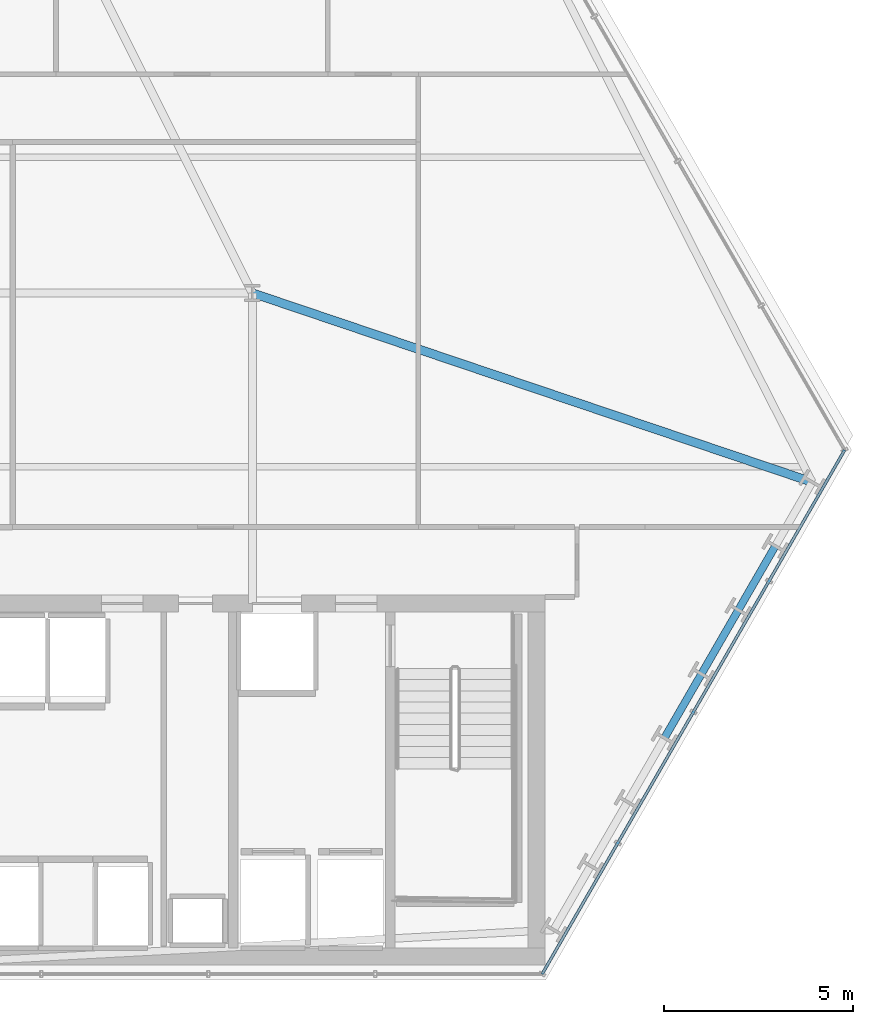
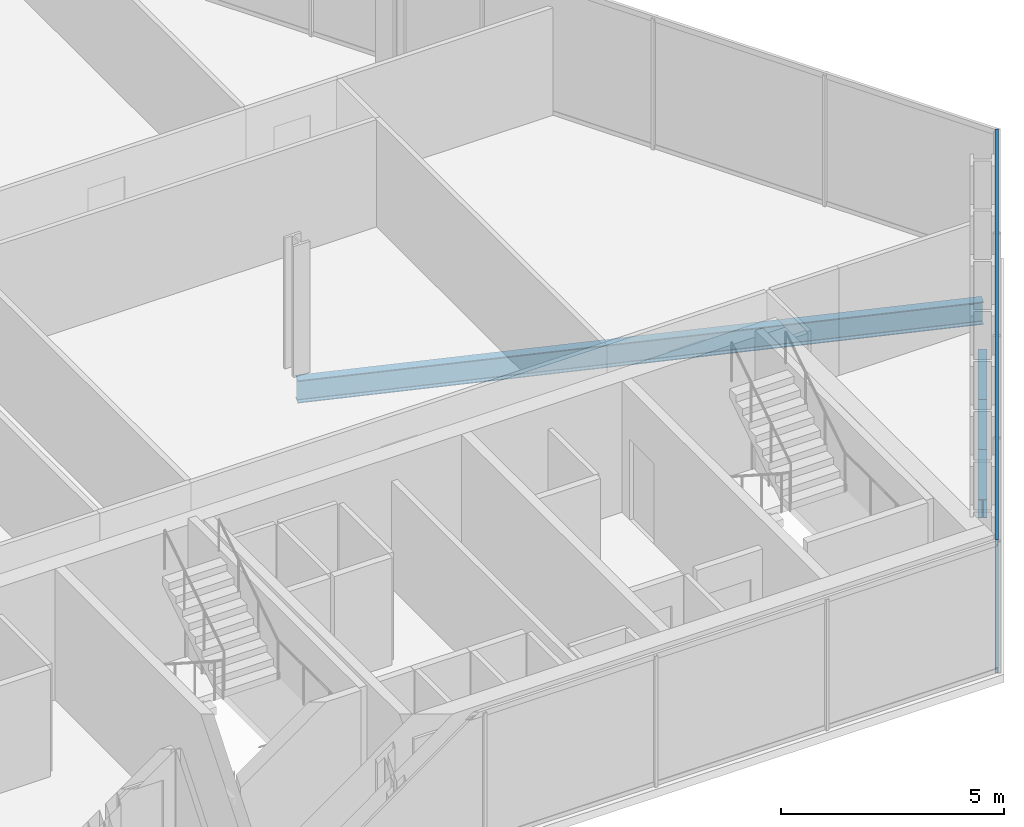
# One storey, part 15 of 32: 4 beams, 2 members, 1 element without a shape of its own.
"""IFC4 building model written with IfcOpenShell, lengths in metres."""

from ifc_helpers import new_model, si_unit, direction, frame, origin, origin_2d, place, context, subcontext, project, spatial, hollow_rectangle, i_section, extrude, material, layer, layer_set, material_profile, profile_set, type_object, element, aggregate, save


model = new_model("IFC4")

# Units and contexts
model_context = context("Model", 3, precision=1e-05, world=origin(), true_north=direction((0.0, 1.0)))
body_context = subcontext(model_context, "Body", "Model", "MODEL_VIEW")
ifc_project = project(units=[si_unit("LENGTHUNIT", "METRE"), si_unit("AREAUNIT", "SQUARE_METRE"), si_unit("VOLUMEUNIT", "CUBIC_METRE"), si_unit("PLANEANGLEUNIT", "RADIAN"), si_unit("MASSUNIT", "GRAM", prefix="KILO")], contexts=[model_context])

# Site, building, storey
site_placement = place(None, origin())
site = spatial("IfcSite", under=ifc_project, at=site_placement, CompositionType="ELEMENT")
building_placement = place(site_placement, origin())
building = spatial("IfcBuilding", under=site, at=building_placement, Name="Ndaravel Arena Tower", CompositionType="ELEMENT")
storey_placement = place(building_placement, frame((0.0, 0.0, 47.39990234375)))
storey = spatial("IfcBuildingStorey", under=building, at=storey_placement, Name="L09", CompositionType="ELEMENT", Elevation=47.39990234375)

# Beams
ifc_material_1 = material(Name="Steel S355", Category="steel")
ifc_material_profile_1 = material_profile(ifc_material_1, i_section(OverallWidth=0.230224609375, OverallDepth=0.6171875, WebThickness=0.01318359375, FlangeThickness=0.022216796875, FilletRadius=0.0126953125, at=origin_2d()), Name="UB 610x229x140")
ifc_profile_set_1 = profile_set([ifc_material_profile_1], Name="Steel S355")
beam_type_1 = type_object("IfcBeamType", Name="BM-GIRD-UB610B", PredefinedType="BEAM", material=ifc_profile_set_1)
beam_1_placement = place(storey_placement, frame((64.634521484375, 18.19189453125, -0.528564453125), z_axis=(-0.947464755248, 0.319860184398, 0.0), x_axis=(-0.319860184398, -0.947464755248, 0.0)))
element("IfcBeam", 1, at=beam_1_placement, inside=storey, type_object=beam_type_1, Name="L09 Radial Floor Girder FG-09", PredefinedType="BEAM", context=body_context, shape_type="SweptSolid", body=[
    extrude(i_section(OverallWidth=0.230224609375, OverallDepth=0.6171875, WebThickness=0.01318359375, FlangeThickness=0.022216796875, FilletRadius=0.0126953125, at=origin_2d()), origin(), (0.0, 0.0, 1.0), 15.656982421875),
])
ifc_material_2 = material(Name="Steel S355", Category="steel")
ifc_material_profile_2 = material_profile(ifc_material_2, i_section(OverallWidth=0.199951171875, OverallDepth=0.5, WebThickness=0.01025390625, FlangeThickness=0.01611328125, FilletRadius=0.02099609375, at=origin_2d()), Name="IPE 500")
ifc_profile_set_2 = profile_set([ifc_material_profile_2], Name="Steel S355")
beam_type_2 = type_object("IfcBeamType", Name="BM-SPAN-IPE500", PredefinedType="SPANDREL", material=ifc_profile_set_2)
beam_2_placement = place(storey_placement, frame((60.72021484375, 11.412353515625, -0.469970703125), z_axis=(0.500003221507, 0.866023543838, 0.0), x_axis=(-0.866023543838, 0.500003221507, 0.0)))
element("IfcBeam", 2, at=beam_2_placement, inside=storey, type_object=beam_type_2, Name="L09 Perimeter Spandrel Beam SP-05", PredefinedType="SPANDREL", context=body_context, shape_type="SweptSolid", body=[
    extrude(i_section(OverallWidth=0.199951171875, OverallDepth=0.5, WebThickness=0.01025390625, FlangeThickness=0.01611328125, FilletRadius=0.02099609375, at=origin_2d()), origin(), (0.0, 0.0, 1.0), 1.95703125),
])
beam_3_placement = place(storey_placement, frame((61.69873046875, 13.107177734375, -0.469970703125), z_axis=(0.49994920724, 0.866054727012, 0.0), x_axis=(-0.866054727012, 0.49994920724, 0.0)))
element("IfcBeam", 3, at=beam_3_placement, inside=storey, type_object=beam_type_2, Name="L09 Perimeter Spandrel Beam SP-06", PredefinedType="SPANDREL", context=body_context, shape_type="SweptSolid", body=[
    extrude(i_section(OverallWidth=0.199951171875, OverallDepth=0.5, WebThickness=0.01025390625, FlangeThickness=0.01611328125, FilletRadius=0.02099609375, at=origin_2d()), origin(), (0.0, 0.0, 1.0), 1.957275390625),
])
beam_4_placement = place(storey_placement, frame((62.67724609375, 14.80224609375, -0.469970703125), z_axis=(0.500096775829, 0.865969523024, 0.0), x_axis=(-0.865969523024, 0.500096775829, 0.0)))
element("IfcBeam", 4, at=beam_4_placement, inside=storey, type_object=beam_type_2, Name="L09 Perimeter Spandrel Beam SP-07", PredefinedType="SPANDREL", context=body_context, shape_type="SweptSolid", body=[
    extrude(i_section(OverallWidth=0.199951171875, OverallDepth=0.5, WebThickness=0.01025390625, FlangeThickness=0.01611328125, FilletRadius=0.02099609375, at=origin_2d()), origin(), (0.0, 0.0, 1.0), 1.95703125),
])

# Curtain wall, members
ifc_material_3 = material(Name="Aluminium", Category="aluminium")
ifc_layer = layer(ifc_material_3, 0.179931640625)
ifc_layer_set = layer_set([ifc_layer], Name="Aluminium")
curtain_wall_type = type_object("IfcCurtainWallType", Name="CW-SYS-01", PredefinedType="NOTDEFINED", material=ifc_layer_set)
curtain_wall_placement = place(storey_placement, origin())
curtain_wall = element("IfcCurtainWall", 5, at=curtain_wall_placement, inside=storey, type_object=curtain_wall_type, Name="L09 Faceted Crystal Curtain Wall CW-L09-E02", PredefinedType="NOTDEFINED")
ifc_material_4 = material(Name="Aluminium", Category="aluminium")
ifc_material_profile_3 = material_profile(ifc_material_4, hollow_rectangle(XDim=0.074951171875, YDim=0.14990234375, WallThickness=0.00390625, at=origin_2d()), Name="CW TRANSOM 75x150x4")
ifc_profile_set_3 = profile_set([ifc_material_profile_3], Name="Aluminium")
member_type = type_object("IfcMemberType", Name="MEM-CW-TRN150", PredefinedType="USERDEFINED", material=ifc_profile_set_3)
member_1_placement = place(storey_placement, frame((57.47998046875, 5.159912109375, 0.0400390625), z_axis=(0.499989258689, 0.866031605195, 0.0), x_axis=(-0.866031605195, 0.499989258689, 0.0)))
member_1 = element("IfcMember", 6, at=member_1_placement, type_object=member_type, Name="CW-L09-E02 Transom 01", ObjectType="TRANSOM", PredefinedType="USERDEFINED", context=body_context, shape_type="SweptSolid", body=[
    extrude(hollow_rectangle(XDim=0.074951171875, YDim=0.14990234375, WallThickness=0.00390625, at=origin_2d()), origin(), (0.0, 0.0, 1.0), 16.026611328125),
])
member_2_placement = place(storey_placement, frame((57.47998046875, 5.159912109375, 3.5400390625), z_axis=(0.499989258689, 0.866031605195, 0.0), x_axis=(-0.866031605195, 0.499989258689, 0.0)))
member_2 = element("IfcMember", 7, at=member_2_placement, type_object=member_type, Name="CW-L09-E02 Transom 02", ObjectType="TRANSOM", PredefinedType="USERDEFINED", context=body_context, shape_type="SweptSolid", body=[
    extrude(hollow_rectangle(XDim=0.074951171875, YDim=0.14990234375, WallThickness=0.00390625, at=origin_2d()), origin(), (0.0, 0.0, 1.0), 16.026611328125),
])
aggregate(curtain_wall, [member_1, member_2])

save(model, "model.ifc")
